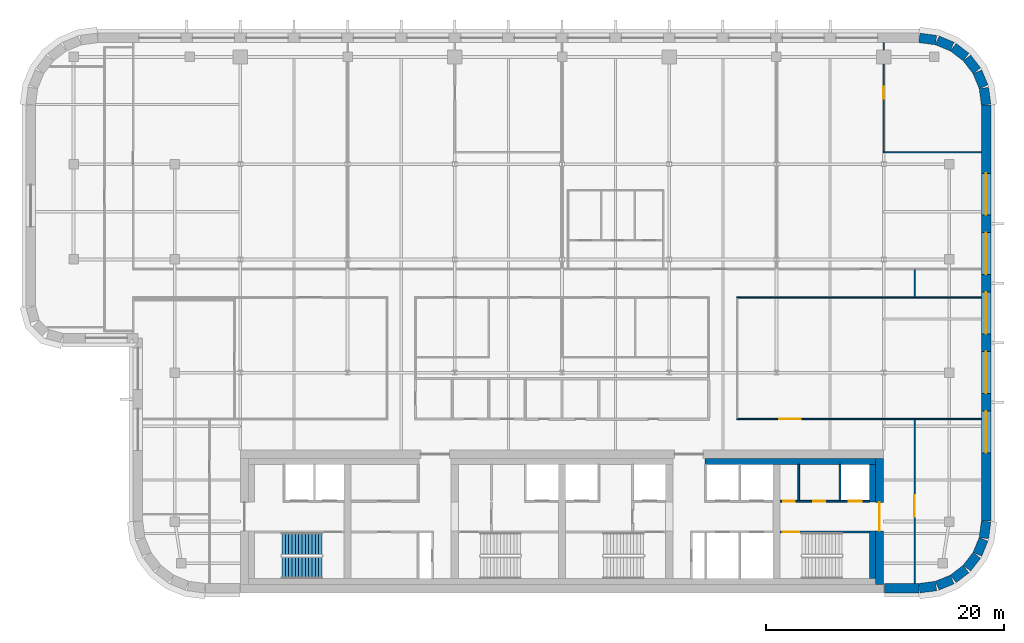
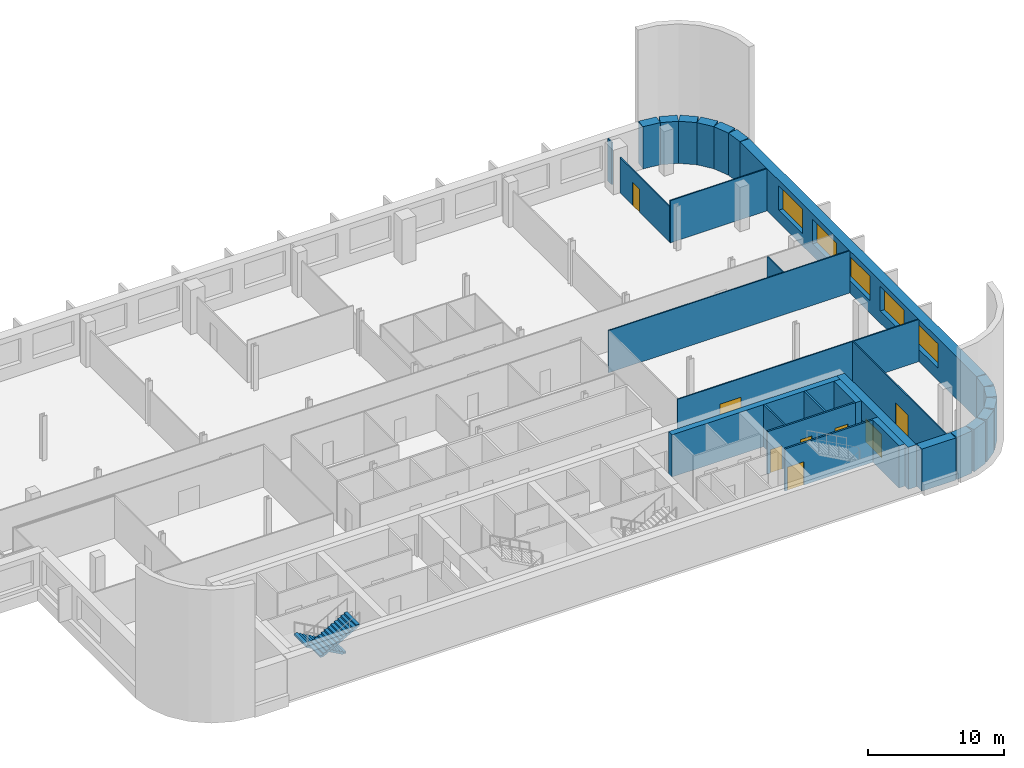
# One storey, part 11 of 16: 29 walls, 8 doors, 5 windows, 2 stair flights, 13 openings, 1 element without a shape of its own.
"""IFC4 building model written with IfcOpenShell, lengths in metres."""

from ifc_helpers import new_model, si_unit, direction, frame, frame_2d, origin, place, context, subcontext, project, spatial, polyline, rectangle, outline, extrude, material, layer, layer_set, type_object, element, fill, aggregate, save


model = new_model("IFC4")

# Units and contexts
model_context = context("Model", 3, precision=1e-05, world=origin(), true_north=direction((0.0, 1.0)))
body_context = subcontext(model_context, "Body", "Model", "MODEL_VIEW")
ifc_project = project(units=[si_unit("LENGTHUNIT", "METRE"), si_unit("AREAUNIT", "SQUARE_METRE"), si_unit("VOLUMEUNIT", "CUBIC_METRE"), si_unit("PLANEANGLEUNIT", "RADIAN"), si_unit("MASSUNIT", "GRAM", prefix="KILO")], contexts=[model_context])

# Site, building, storey
site_placement = place(None, origin())
site = spatial("IfcSite", under=ifc_project, at=site_placement, CompositionType="ELEMENT")
building_placement = place(site_placement, origin())
building = spatial("IfcBuilding", under=site, at=building_placement, Name="Zellij Exchange Tower", CompositionType="ELEMENT")
storey_placement = place(building_placement, frame((0.0, 0.0, 244.5)))
storey = spatial("IfcBuildingStorey", under=building, at=storey_placement, Name="L57", CompositionType="ELEMENT", Elevation=244.5)

# Walls
ifc_material_1 = material(Name="Concrete C30/37", Category="concrete")
ifc_layer_1 = layer(ifc_material_1, 0.5)
ifc_layer_set_1 = layer_set([ifc_layer_1], Name="Concrete C30/37")
wall_type_1 = type_object("IfcWallType", Name="CORE-LW 500 C30/37", PredefinedType="SHEAR", material=ifc_layer_set_1)
wall_1_placement = place(storey_placement, frame((12.0, -2.949951171875, 0.0), z_axis=(0.0, 0.0, 1.0), x_axis=(1.0, 0.0, 0.0)))
element("IfcWall", 1, at=wall_1_placement, inside=storey, type_object=wall_type_1, Name="Core wall lining front.2 L57", PredefinedType="SHEAR", context=body_context, shape_type="SweptSolid", body=[
    extrude(rectangle(XDim=14.300048828125, YDim=0.5, at=frame_2d((7.14990234375, 0.0))), origin(), (0.0, 0.0, 1.0), 3.800048828125),
])
wall_2_placement = place(storey_placement, frame((26.050048828125, -12.800048828125, 0.0), z_axis=(0.0, 0.0, 1.0), x_axis=(0.0, 1.0, 0.0)))
element("IfcWall", 2, at=wall_2_placement, inside=storey, type_object=wall_type_1, Name="Core wall lining end e.0 L57", PredefinedType="SHEAR", context=body_context, shape_type="SweptSolid", body=[
    extrude(rectangle(XDim=4.0, YDim=0.5, at=frame_2d((2.0, 0.0))), origin(), (0.0, 0.0, 1.0), 3.800048828125),
])
wall_3_placement = place(storey_placement, frame((26.050048828125, -6.375, 0.0), z_axis=(0.0, 0.0, 1.0), x_axis=(0.0, 1.0, 0.0)))
element("IfcWall", 3, at=wall_3_placement, inside=storey, type_object=wall_type_1, Name="Core wall lining end e.1 L57", PredefinedType="SHEAR", context=body_context, shape_type="SweptSolid", body=[
    extrude(rectangle(XDim=3.175048828125, YDim=0.5, at=frame_2d((1.58740234375, 0.0))), origin(), (0.0, 0.0, 1.0), 3.800048828125),
])
ifc_material_2 = material(Name="Gypsum board partition")
ifc_layer_2 = layer(ifc_material_2, 0.14990234375)
ifc_layer_set_2 = layer_set([ifc_layer_2], Name="Gypsum board partition")
wall_type_2 = type_object("IfcWallType", Name="CORE-PW 150 Lift lobby wall", PredefinedType="PARTITIONING", material=ifc_layer_set_2)
wall_4_placement = place(storey_placement, frame((19.875, -6.22509765625, 0.0), z_axis=(0.0, 0.0, 1.0), x_axis=(0.0, 1.0, 0.0)))
element("IfcWall", 4, at=wall_4_placement, inside=storey, type_object=wall_type_2, Name="Lift lobby wall L57", PredefinedType="PARTITIONING", context=body_context, shape_type="SweptSolid", body=[
    extrude(rectangle(XDim=3.025146484375, YDim=0.14990234375, at=frame_2d((1.5126953125, 0.0))), origin(), (0.0, 0.0, 1.0), 3.800048828125),
])
ifc_material_3 = material(Name="Gypsum shaft wall system")
ifc_layer_3 = layer(ifc_material_3, 0.14990234375)
ifc_layer_set_3 = layer_set([ifc_layer_3], Name="Gypsum shaft wall system")
wall_type_3 = type_object("IfcWallType", Name="CORE-PW 150 Lift shaft wall", PredefinedType="PARTITIONING", material=ifc_layer_set_3)
wall_5_placement = place(storey_placement, frame((23.324951171875, -6.22509765625, 0.0), z_axis=(0.0, 0.0, 1.0), x_axis=(0.0, 1.0, 0.0)))
element("IfcWall", 5, at=wall_5_placement, inside=storey, type_object=wall_type_3, Name="Lift shaft wall L57", PredefinedType="PARTITIONING", context=body_context, shape_type="SweptSolid", body=[
    extrude(rectangle(XDim=3.025146484375, YDim=0.14990234375, at=frame_2d((1.5126953125, 0.0))), origin(), (0.0, 0.0, 1.0), 3.800048828125),
])

# Wall, openings, doors
wall_6_placement = place(storey_placement, frame((18.300048828125, -6.300048828125, 0.0), z_axis=(0.0, 0.0, 1.0), x_axis=(1.0, 0.0, 0.0)))
wall_6 = element("IfcWall", 6, at=wall_6_placement, inside=storey, type_object=wall_type_3, Name="Lift shaft wall L57", PredefinedType="PARTITIONING", context=body_context, shape_type="SweptSolid", body=[
    extrude(rectangle(XDim=7.5, YDim=0.14990234375, at=frame_2d((3.75, 0.0))), origin(), (0.0, 0.0, 1.0), 3.800048828125),
])
opening_1_placement = place(wall_6_placement, frame((0.25, 0.0, 0.0)))
opening_1 = element("IfcOpeningElement", 7, at=opening_1_placement, cuts=wall_6, Name="Opening CA-30.22", PredefinedType="OPENING", context=body_context, shape_type="SweptSolid", body=[
    extrude(rectangle(XDim=1.0, YDim=2.10009765625, at=frame_2d((0.5, 1.050048828125))), frame((0.0, 0.0869140625, 0.0), z_axis=(0.0, -1.0, 0.0), x_axis=(1.0, 0.0, 0.0)), (0.0, 0.0, 1.0), 0.173828125),
])
opening_2_placement = place(wall_6_placement, frame((2.800048828125, 0.0, 0.0)))
opening_2 = element("IfcOpeningElement", 8, at=opening_2_placement, cuts=wall_6, Name="Opening CA-30.24", PredefinedType="OPENING", context=body_context, shape_type="SweptSolid", body=[
    extrude(rectangle(XDim=1.0, YDim=2.10009765625, at=frame_2d((0.5, 1.050048828125))), frame((0.0, 0.0869140625, 0.0), z_axis=(0.0, -1.0, 0.0), x_axis=(1.0, 0.0, 0.0)), (0.0, 0.0, 1.0), 0.173828125),
])
opening_3_placement = place(wall_6_placement, frame((5.75, 0.0, 0.0)))
opening_3 = element("IfcOpeningElement", 9, at=opening_3_placement, cuts=wall_6, Name="Opening CA-30.25", PredefinedType="OPENING", context=body_context, shape_type="SweptSolid", body=[
    extrude(rectangle(XDim=1.10009765625, YDim=2.10009765625, at=frame_2d((0.550048828125, 1.050048828125))), frame((0.0, 0.0869140625, 0.0), z_axis=(0.0, -1.0, 0.0), x_axis=(1.0, 0.0, 0.0)), (0.0, 0.0, 1.0), 0.173828125),
])
ifc_material_4 = material(Name="Hollow metal fire door")
door_type_1 = type_object("IfcDoorType", Name="CORE-D CD Core room door 1000x2100 1 HR", OperationType="NOTDEFINED", PredefinedType="DOOR", material=ifc_material_4)
door_1_placement = place(opening_1_placement, origin())
door_1 = element("IfcDoor", 10, at=door_1_placement, inside=storey, type_object=door_type_1, Name="Core room door CA-30.22", OperationType="SINGLE_SWING_LEFT", OverallHeight=2.10009765625, OverallWidth=1.0, PredefinedType="DOOR", context=body_context, shape_type="SweptSolid", body=[
    extrude(rectangle(XDim=1.0, YDim=2.10009765625, at=frame_2d((0.5, 1.050048828125))), frame((0.0, 0.02490234375, 0.0), z_axis=(0.0, -1.0, 0.0), x_axis=(1.0, 0.0, 0.0)), (0.0, 0.0, 1.0), 0.050048828125),
])
fill(opening_1, door_1)
door_2_placement = place(opening_2_placement, origin())
door_2 = element("IfcDoor", 11, at=door_2_placement, inside=storey, type_object=door_type_1, Name="Core room door CA-30.24", OperationType="SINGLE_SWING_LEFT", OverallHeight=2.10009765625, OverallWidth=1.0, PredefinedType="DOOR", context=body_context, shape_type="SweptSolid", body=[
    extrude(rectangle(XDim=1.0, YDim=2.10009765625, at=frame_2d((0.5, 1.050048828125))), frame((0.0, 0.02490234375, 0.0), z_axis=(0.0, -1.0, 0.0), x_axis=(1.0, 0.0, 0.0)), (0.0, 0.0, 1.0), 0.050048828125),
])
fill(opening_2, door_2)
door_type_2 = type_object("IfcDoorType", Name="CORE-D LD Lift landing door 1100x2100 1.5 HR", OperationType="NOTDEFINED", PredefinedType="DOOR", material=ifc_material_4)
door_3_placement = place(opening_3_placement, origin())
door_3 = element("IfcDoor", 12, at=door_3_placement, inside=storey, type_object=door_type_2, Name="Lift landing door CA-30.25", OperationType="SLIDING_TO_LEFT", OverallHeight=2.10009765625, OverallWidth=1.10009765625, PredefinedType="DOOR", context=body_context, shape_type="SweptSolid", body=[
    extrude(rectangle(XDim=1.10009765625, YDim=2.10009765625, at=frame_2d((0.550048828125, 1.050048828125))), frame((0.0, 0.02490234375, 0.0), z_axis=(0.0, -1.0, 0.0), x_axis=(1.0, 0.0, 0.0)), (0.0, 0.0, 1.0), 0.050048828125),
])
fill(opening_3, door_3)

# Wall, opening, door
ifc_material_5 = material(Name="Concrete C50/60", Category="concrete")
ifc_layer_4 = layer(ifc_material_5, 0.699951171875)
ifc_layer_set_4 = layer_set([ifc_layer_4], Name="Concrete C50/60")
wall_type_4 = type_object("IfcWallType", Name="CORE-SW 700 C50/60", PredefinedType="SHEAR", material=ifc_layer_set_4)
wall_7_placement = place(storey_placement, frame((26.64990234375, -13.300048828125, 0.0), z_axis=(0.0, 0.0, 1.0), x_axis=(0.0, 1.0, 0.0)))
wall_7 = element("IfcWall", 13, at=wall_7_placement, inside=storey, type_object=wall_type_4, Name="Core shear wall end e L57", PredefinedType="SHEAR", context=body_context, shape_type="SweptSolid", body=[
    extrude(rectangle(XDim=10.60009765625, YDim=0.699951171875, at=frame_2d((5.300048828125, 0.0))), origin(), (0.0, 0.0, 1.0), 3.800048828125),
])
opening_4_placement = place(wall_7_placement, frame((4.511962890625, 0.0, 0.0)))
opening_4 = element("IfcOpeningElement", 14, at=opening_4_placement, cuts=wall_7, Name="Opening CA-30.26", PredefinedType="OPENING", context=body_context, shape_type="SweptSolid", body=[
    extrude(rectangle(XDim=2.39990234375, YDim=2.10009765625, at=frame_2d((1.199951171875, 1.050048828125))), frame((0.0, 0.36181640625, 0.0), z_axis=(0.0, -1.0, 0.0), x_axis=(1.0, 0.0, 0.0)), (0.0, 0.0, 1.0), 0.723876953125),
])
door_type_3 = type_object("IfcDoorType", Name="CORE-D CE Core entrance door 2400x2100 20 MIN", OperationType="NOTDEFINED", PredefinedType="DOOR", material=ifc_material_4)
door_4_placement = place(opening_4_placement, origin())
door_4 = element("IfcDoor", 15, at=door_4_placement, inside=storey, type_object=door_type_3, Name="Core entrance door CA-30.26", OperationType="DOUBLE_DOOR_SINGLE_SWING", OverallHeight=2.10009765625, OverallWidth=2.39990234375, PredefinedType="DOOR", context=body_context, shape_type="SweptSolid", body=[
    extrude(rectangle(XDim=2.39990234375, YDim=2.10009765625, at=frame_2d((1.199951171875, 1.050048828125))), frame((0.0, 0.02490234375, 0.0), z_axis=(0.0, -1.0, 0.0), x_axis=(1.0, 0.0, 0.0)), (0.0, 0.0, 1.0), 0.050048828125),
])
fill(opening_4, door_4)

ifc_layer_5 = layer(ifc_material_5, 0.14990234375)
ifc_layer_set_5 = layer_set([ifc_layer_5], Name="Concrete C50/60")
wall_type_5 = type_object("IfcWallType", Name="CORE-SWS 150 C50/60", PredefinedType="SHEAR", material=ifc_layer_set_5)
wall_8_placement = place(storey_placement, frame((18.300048828125, -8.875, 0.0), z_axis=(0.0, 0.0, 1.0), x_axis=(1.0, 0.0, 0.0)))
wall_8 = element("IfcWall", 16, at=wall_8_placement, inside=storey, type_object=wall_type_5, Name="Stair enclosure wall L57", PredefinedType="SHEAR", context=body_context, shape_type="SweptSolid", body=[
    extrude(rectangle(XDim=7.5, YDim=0.14990234375, at=frame_2d((3.75, 0.0))), origin(), (0.0, 0.0, 1.0), 3.800048828125),
])
opening_5_placement = place(wall_8_placement, frame((0.22509765625, 0.0, 0.0)))
opening_5 = element("IfcOpeningElement", 17, at=opening_5_placement, cuts=wall_8, Name="Opening CA-30.23", PredefinedType="OPENING", context=body_context, shape_type="SweptSolid", body=[
    extrude(rectangle(XDim=1.39990234375, YDim=2.10009765625, at=frame_2d((0.699951171875, 1.050048828125))), frame((0.0, 0.0869140625, 0.0), z_axis=(0.0, -1.0, 0.0), x_axis=(1.0, 0.0, 0.0)), (0.0, 0.0, 1.0), 0.173828125),
])
door_type_4 = type_object("IfcDoorType", Name="CORE-D SD Stair door 1400x2100 1.5 HR", OperationType="NOTDEFINED", PredefinedType="DOOR", material=ifc_material_4)
door_5_placement = place(opening_5_placement, origin())
door_5 = element("IfcDoor", 18, at=door_5_placement, inside=storey, type_object=door_type_4, Name="Stair door CA-30.23", OperationType="DOUBLE_DOOR_SINGLE_SWING", OverallHeight=2.10009765625, OverallWidth=1.39990234375, PredefinedType="DOOR", context=body_context, shape_type="SweptSolid", body=[
    extrude(rectangle(XDim=1.39990234375, YDim=2.10009765625, at=frame_2d((0.699951171875, 1.050048828125))), frame((0.0, 0.02490234375, 0.0), z_axis=(0.0, -1.0, 0.0), x_axis=(1.0, 0.0, 0.0)), (0.0, 0.0, 1.0), 0.050048828125),
])
fill(opening_5, door_5)

# Walls
ifc_material_6 = material(Name="Precast concrete C40/50", Category="concrete")
ifc_layer_6 = layer(ifc_material_6, 0.800048828125)
ifc_layer_set_6 = layer_set([ifc_layer_6], Name="Precast concrete C40/50")
wall_type_6 = type_object("IfcWallType", Name="ENV-EW1 Precast stone-piered wall 800", PredefinedType="SOLIDWALL", material=ifc_layer_set_6)
wall_9_placement = place(storey_placement, frame((27.050048828125, -13.60009765625, 0.0), z_axis=(0.0, 0.0, 1.0), x_axis=(1.0, 0.0, 0.0)))
element("IfcWall", 19, at=wall_9_placement, inside=storey, type_object=wall_type_6, Name="fac.L57.00b", PredefinedType="SOLIDWALL", context=body_context, shape_type="SweptSolid", body=[
    extrude(rectangle(XDim=2.8974609375, YDim=0.800048828125, at=frame_2d((1.44873046875, 0.0))), origin(), (0.0, 0.0, 1.0), 3.800048828125),
])
wall_10_placement = place(storey_placement, frame((29.999755859375, -13.5966796875, 0.0), z_axis=(0.0, 0.0, 1.0), x_axis=(0.99144603414, 0.130517283865, 0.0)))
element("IfcWall", 20, at=wall_10_placement, inside=storey, type_object=wall_type_6, Name="fac.L57.01", PredefinedType="SOLIDWALL", context=body_context, shape_type="SweptSolid", body=[
    extrude(rectangle(XDim=1.408447265625, YDim=0.800048828125, at=frame_2d((0.7041015625, 0.0))), origin(), (0.0, 0.0, 1.0), 3.800048828125),
])
wall_11_placement = place(storey_placement, frame((31.497314453125, -13.3857421875, 0.0), z_axis=(0.0, 0.0, 1.0), x_axis=(0.923847774587, 0.38276009378, 0.0)))
element("IfcWall", 21, at=wall_11_placement, inside=storey, type_object=wall_type_6, Name="fac.L57.02", PredefinedType="SOLIDWALL", context=body_context, shape_type="SweptSolid", body=[
    extrude(rectangle(XDim=1.35546875, YDim=0.800048828125, at=frame_2d((0.677734375, 0.0))), origin(), (0.0, 0.0, 1.0), 3.800048828125),
])
for number, where, z_axis, x_axis, name in (
    (22, (32.840087890625, -12.814697265625, 0.0), (0.0, 0.0, 1.0), (0.793272915452, 0.608866226366, 0.0), "fac.L57.03"),
    (23, (33.9892578125, -11.91552734375, 0.0), (0.0, 0.0, 1.0), (0.608866226366, 0.793272915452, 0.0), "fac.L57.04"),
):
    element("IfcWall", number, at=place(storey_placement, frame(where, z_axis=z_axis, x_axis=x_axis)), inside=storey, type_object=wall_type_6, Name=name, PredefinedType="SOLIDWALL", context=body_context, shape_type="SweptSolid", body=[
        extrude(rectangle(XDim=1.355712890625, YDim=0.800048828125, at=frame_2d((0.677734375, 0.0))), origin(), (0.0, 0.0, 1.0), 3.800048828125),
    ])
wall_12_placement = place(storey_placement, frame((34.866943359375, -10.74951171875, 0.0), z_axis=(0.0, 0.0, 1.0), x_axis=(0.38276009378, 0.923847774587, 0.0)))
element("IfcWall", 24, at=wall_12_placement, inside=storey, type_object=wall_type_6, Name="fac.L57.05", PredefinedType="SOLIDWALL", context=body_context, shape_type="SweptSolid", body=[
    extrude(rectangle(XDim=1.35546875, YDim=0.800048828125, at=frame_2d((0.677734375, 0.0))), origin(), (0.0, 0.0, 1.0), 3.800048828125),
])
wall_13_placement = place(storey_placement, frame((35.412841796875, -9.396240234375, 0.0), z_axis=(0.0, 0.0, 1.0), x_axis=(0.130517283865, 0.99144603414, 0.0)))
element("IfcWall", 25, at=wall_13_placement, inside=storey, type_object=wall_type_6, Name="fac.L57.06", PredefinedType="SOLIDWALL", context=body_context, shape_type="SweptSolid", body=[
    extrude(rectangle(XDim=1.408447265625, YDim=0.800048828125, at=frame_2d((0.7041015625, 0.0))), origin(), (0.0, 0.0, 1.0), 3.800048828125),
])

# Wall, openings, windows
wall_14_placement = place(storey_placement, frame((35.60009765625, -7.947509765625, 0.0), z_axis=(0.0, 0.0, 1.0), x_axis=(0.0, 1.0, 0.0)))
wall_14 = element("IfcWall", 26, at=wall_14_placement, inside=storey, type_object=wall_type_6, Name="fac.L57.07", PredefinedType="SOLIDWALL", context=body_context, shape_type="SweptSolid", body=[
    extrude(rectangle(XDim=34.89501953125, YDim=0.800048828125, at=frame_2d((17.447509765625, 0.0))), origin(), (0.0, 0.0, 1.0), 3.800048828125),
])
opening_6_placement = place(wall_14_placement, frame((5.71240234375, 0.0, 1.10009765625)))
opening_6 = element("IfcOpeningElement", 27, at=opening_6_placement, cuts=wall_14, Name="Opening FZ4.01", PredefinedType="OPENING", context=body_context, shape_type="SweptSolid", body=[
    extrude(rectangle(XDim=3.5, YDim=2.199951171875, at=frame_2d((1.75, 1.10009765625))), frame((0.0, 0.412109375, 0.0), z_axis=(0.0, -1.0, 0.0), x_axis=(1.0, 0.0, 0.0)), (0.0, 0.0, 1.0), 0.823974609375),
])
opening_7_placement = place(wall_14_placement, frame((10.705078125, 0.0, 1.10009765625)))
opening_7 = element("IfcOpeningElement", 28, at=opening_7_placement, cuts=wall_14, Name="Opening FZ4.02", PredefinedType="OPENING", context=body_context, shape_type="SweptSolid", body=[
    extrude(rectangle(XDim=3.5, YDim=2.199951171875, at=frame_2d((1.75, 1.10009765625))), frame((0.0, 0.412109375, 0.0), z_axis=(0.0, -1.0, 0.0), x_axis=(1.0, 0.0, 0.0)), (0.0, 0.0, 1.0), 0.823974609375),
])
opening_8_placement = place(wall_14_placement, frame((15.697509765625, 0.0, 1.10009765625)))
opening_8 = element("IfcOpeningElement", 29, at=opening_8_placement, cuts=wall_14, Name="Opening FZ4.03", PredefinedType="OPENING", context=body_context, shape_type="SweptSolid", body=[
    extrude(rectangle(XDim=3.5, YDim=2.199951171875, at=frame_2d((1.75, 1.10009765625))), frame((0.0, 0.412109375, 0.0), z_axis=(0.0, -1.0, 0.0), x_axis=(1.0, 0.0, 0.0)), (0.0, 0.0, 1.0), 0.823974609375),
])
opening_9_placement = place(wall_14_placement, frame((20.690185546875, 0.0, 1.10009765625)))
opening_9 = element("IfcOpeningElement", 30, at=opening_9_placement, cuts=wall_14, Name="Opening FZ4.04", PredefinedType="OPENING", context=body_context, shape_type="SweptSolid", body=[
    extrude(rectangle(XDim=3.5, YDim=2.199951171875, at=frame_2d((1.75, 1.10009765625))), frame((0.0, 0.412109375, 0.0), z_axis=(0.0, -1.0, 0.0), x_axis=(1.0, 0.0, 0.0)), (0.0, 0.0, 1.0), 0.823974609375),
])
opening_10_placement = place(wall_14_placement, frame((25.6826171875, 0.0, 1.10009765625)))
opening_10 = element("IfcOpeningElement", 31, at=opening_10_placement, cuts=wall_14, Name="Opening FZ4.05", PredefinedType="OPENING", context=body_context, shape_type="SweptSolid", body=[
    extrude(rectangle(XDim=3.5, YDim=2.199951171875, at=frame_2d((1.75, 1.10009765625))), frame((0.0, 0.412109375, 0.0), z_axis=(0.0, -1.0, 0.0), x_axis=(1.0, 0.0, 0.0)), (0.0, 0.0, 1.0), 0.823974609375),
])
ifc_material_7 = material(Name="Aluminium frame with insulating glass", Category="aluminium")
window_type = type_object("IfcWindowType", Name="ENV-W7 Window 3500x2200", PartitioningType="SINGLE_PANEL", PredefinedType="WINDOW", material=ifc_material_7)
window_1_placement = place(opening_6_placement, origin())
window_1 = element("IfcWindow", 32, at=window_1_placement, inside=storey, type_object=window_type, Name="Window FZ4.01", OverallHeight=2.199951171875, OverallWidth=3.5, PartitioningType="SINGLE_PANEL", PredefinedType="WINDOW", context=body_context, shape_type="SweptSolid", body=[
    extrude(rectangle(XDim=3.5, YDim=2.199951171875, at=frame_2d((1.75, 1.10009765625))), frame((0.0, 0.030029296875, 0.0), z_axis=(0.0, -1.0, 0.0), x_axis=(1.0, 0.0, 0.0)), (0.0, 0.0, 1.0), 0.06005859375),
])
fill(opening_6, window_1)
window_2_placement = place(opening_7_placement, origin())
window_2 = element("IfcWindow", 33, at=window_2_placement, inside=storey, type_object=window_type, Name="Window FZ4.02", OverallHeight=2.199951171875, OverallWidth=3.5, PartitioningType="SINGLE_PANEL", PredefinedType="WINDOW", context=body_context, shape_type="SweptSolid", body=[
    extrude(rectangle(XDim=3.5, YDim=2.199951171875, at=frame_2d((1.75, 1.10009765625))), frame((0.0, 0.030029296875, 0.0), z_axis=(0.0, -1.0, 0.0), x_axis=(1.0, 0.0, 0.0)), (0.0, 0.0, 1.0), 0.06005859375),
])
fill(opening_7, window_2)
window_3_placement = place(opening_8_placement, origin())
window_3 = element("IfcWindow", 34, at=window_3_placement, inside=storey, type_object=window_type, Name="Window FZ4.03", OverallHeight=2.199951171875, OverallWidth=3.5, PartitioningType="SINGLE_PANEL", PredefinedType="WINDOW", context=body_context, shape_type="SweptSolid", body=[
    extrude(rectangle(XDim=3.5, YDim=2.199951171875, at=frame_2d((1.75, 1.10009765625))), frame((0.0, 0.030029296875, 0.0), z_axis=(0.0, -1.0, 0.0), x_axis=(1.0, 0.0, 0.0)), (0.0, 0.0, 1.0), 0.06005859375),
])
fill(opening_8, window_3)
window_4_placement = place(opening_9_placement, origin())
window_4 = element("IfcWindow", 35, at=window_4_placement, inside=storey, type_object=window_type, Name="Window FZ4.04", OverallHeight=2.199951171875, OverallWidth=3.5, PartitioningType="SINGLE_PANEL", PredefinedType="WINDOW", context=body_context, shape_type="SweptSolid", body=[
    extrude(rectangle(XDim=3.5, YDim=2.199951171875, at=frame_2d((1.75, 1.10009765625))), frame((0.0, 0.030029296875, 0.0), z_axis=(0.0, -1.0, 0.0), x_axis=(1.0, 0.0, 0.0)), (0.0, 0.0, 1.0), 0.06005859375),
])
fill(opening_9, window_4)
window_5_placement = place(opening_10_placement, origin())
window_5 = element("IfcWindow", 36, at=window_5_placement, inside=storey, type_object=window_type, Name="Window FZ4.05", OverallHeight=2.199951171875, OverallWidth=3.5, PartitioningType="SINGLE_PANEL", PredefinedType="WINDOW", context=body_context, shape_type="SweptSolid", body=[
    extrude(rectangle(XDim=3.5, YDim=2.199951171875, at=frame_2d((1.75, 1.10009765625))), frame((0.0, 0.030029296875, 0.0), z_axis=(0.0, -1.0, 0.0), x_axis=(1.0, 0.0, 0.0)), (0.0, 0.0, 1.0), 0.06005859375),
])
fill(opening_10, window_5)

# Walls
wall_15_placement = place(storey_placement, frame((35.5966796875, 26.999755859375, 0.0), z_axis=(0.0, 0.0, 1.0), x_axis=(-0.130517283865, 0.99144603414, 0.0)))
element("IfcWall", 37, at=wall_15_placement, inside=storey, type_object=wall_type_6, Name="fac.L57.08", PredefinedType="SOLIDWALL", context=body_context, shape_type="SweptSolid", body=[
    extrude(rectangle(XDim=1.408447265625, YDim=0.800048828125, at=frame_2d((0.7041015625, 0.0))), origin(), (0.0, 0.0, 1.0), 3.800048828125),
])
wall_16_placement = place(storey_placement, frame((35.3857421875, 28.497314453125, 0.0), z_axis=(0.0, 0.0, 1.0), x_axis=(-0.38276009378, 0.923847774587, 0.0)))
element("IfcWall", 38, at=wall_16_placement, inside=storey, type_object=wall_type_6, Name="fac.L57.09", PredefinedType="SOLIDWALL", context=body_context, shape_type="SweptSolid", body=[
    extrude(rectangle(XDim=1.35546875, YDim=0.800048828125, at=frame_2d((0.677734375, 0.0))), origin(), (0.0, 0.0, 1.0), 3.800048828125),
])
for number, where, z_axis, x_axis, name in (
    (39, (34.814697265625, 29.840087890625, 0.0), (0.0, 0.0, 1.0), (-0.608866226366, 0.793272915452, 0.0), "fac.L57.10"),
    (40, (33.91552734375, 30.9892578125, 0.0), (0.0, 0.0, 1.0), (-0.793272915452, 0.608866226366, 0.0), "fac.L57.11"),
):
    element("IfcWall", number, at=place(storey_placement, frame(where, z_axis=z_axis, x_axis=x_axis)), inside=storey, type_object=wall_type_6, Name=name, PredefinedType="SOLIDWALL", context=body_context, shape_type="SweptSolid", body=[
        extrude(rectangle(XDim=1.355712890625, YDim=0.800048828125, at=frame_2d((0.677734375, 0.0))), origin(), (0.0, 0.0, 1.0), 3.800048828125),
    ])
wall_17_placement = place(storey_placement, frame((32.74951171875, 31.866943359375, 0.0), z_axis=(0.0, 0.0, 1.0), x_axis=(-0.923847774587, 0.38276009378, 0.0)))
element("IfcWall", 41, at=wall_17_placement, inside=storey, type_object=wall_type_6, Name="fac.L57.12", PredefinedType="SOLIDWALL", context=body_context, shape_type="SweptSolid", body=[
    extrude(rectangle(XDim=1.35546875, YDim=0.800048828125, at=frame_2d((0.677734375, 0.0))), origin(), (0.0, 0.0, 1.0), 3.800048828125),
])
wall_18_placement = place(storey_placement, frame((31.396240234375, 32.412841796875, 0.0), z_axis=(0.0, 0.0, 1.0), x_axis=(-0.99144603414, 0.130517283865, 0.0)))
element("IfcWall", 42, at=wall_18_placement, inside=storey, type_object=wall_type_6, Name="fac.L57.13", PredefinedType="SOLIDWALL", context=body_context, shape_type="SweptSolid", body=[
    extrude(rectangle(XDim=1.408447265625, YDim=0.800048828125, at=frame_2d((0.7041015625, 0.0))), origin(), (0.0, 0.0, 1.0), 3.800048828125),
])

# Wall, opening, door
ifc_material_8 = material(Name="Gypsum board partition on steel studs", Category="steel")
ifc_layer_7 = layer(ifc_material_8, 0.10009765625)
ifc_layer_set_7 = layer_set([ifc_layer_7], Name="Gypsum board partition on steel studs")
wall_type_7 = type_object("IfcWallType", Name="FIT-PARTITION-100", PredefinedType="PARTITIONING", material=ifc_layer_set_7)
wall_19_placement = place(storey_placement, frame((29.60009765625, -13.199951171875, 0.0), z_axis=(0.0, 0.0, 1.0), x_axis=(0.0, 1.0, 0.0)))
wall_19 = element("IfcWall", 43, at=wall_19_placement, inside=storey, type_object=wall_type_7, Name="FIT-PARTITION-100 002", PredefinedType="PARTITIONING", context=body_context, shape_type="SweptSolid", body=[
    extrude(rectangle(XDim=13.75, YDim=0.10009765625, at=frame_2d((6.875, 0.0))), origin(), (0.0, 0.0, 1.0), 3.800048828125),
])
opening_11_placement = place(wall_19_placement, frame((5.60009765625, 0.0, 0.0)))
opening_11 = element("IfcOpeningElement", 44, at=opening_11_placement, cuts=wall_19, Name="Opening O4D.01", PredefinedType="OPENING", context=body_context, shape_type="SweptSolid", body=[
    extrude(rectangle(XDim=1.800048828125, YDim=2.10009765625, at=frame_2d((0.89990234375, 1.050048828125))), frame((0.0, 0.06201171875, 0.0), z_axis=(0.0, -1.0, 0.0), x_axis=(1.0, 0.0, 0.0)), (0.0, 0.0, 1.0), 0.1240234375),
])
ifc_material_9 = material(Name="Timber door set", Category="wood")
door_type_5 = type_object("IfcDoorType", Name="FIT-D3-DOUBLE-1800X2100", OperationType="DOUBLE_DOOR_SINGLE_SWING", PredefinedType="DOOR", material=ifc_material_9)
door_6_placement = place(opening_11_placement, origin())
door_6 = element("IfcDoor", 45, at=door_6_placement, inside=storey, type_object=door_type_5, Name="Door O4D.01", OperationType="DOUBLE_DOOR_SINGLE_SWING", OverallHeight=2.10009765625, OverallWidth=1.800048828125, PredefinedType="DOOR", context=body_context, shape_type="SweptSolid", body=[
    extrude(rectangle(XDim=1.800048828125, YDim=2.10009765625, at=frame_2d((0.89990234375, 1.050048828125))), frame((0.0, 0.02490234375, 0.0), z_axis=(0.0, -1.0, 0.0), x_axis=(1.0, 0.0, 0.0)), (0.0, 0.0, 1.0), 0.050048828125),
])
fill(opening_11, door_6)

wall_20_placement = place(storey_placement, frame((14.64990234375, 0.60009765625, 0.0), z_axis=(0.0, 0.0, 1.0), x_axis=(1.0, 0.0, 0.0)))
wall_20 = element("IfcWall", 46, at=wall_20_placement, inside=storey, type_object=wall_type_7, Name="FIT-PARTITION-100 016", PredefinedType="PARTITIONING", context=body_context, shape_type="SweptSolid", body=[
    extrude(rectangle(XDim=20.550048828125, YDim=0.10009765625, at=frame_2d((10.27490234375, 0.0))), origin(), (0.0, 0.0, 1.0), 3.800048828125),
])
opening_12_placement = place(wall_20_placement, frame((3.60009765625, 0.0, 0.0)))
opening_12 = element("IfcOpeningElement", 47, at=opening_12_placement, cuts=wall_20, Name="Opening O4D.08", PredefinedType="OPENING", context=body_context, shape_type="SweptSolid", body=[
    extrude(rectangle(XDim=1.800048828125, YDim=2.10009765625, at=frame_2d((0.89990234375, 1.050048828125))), frame((0.0, 0.06201171875, 0.0), z_axis=(0.0, -1.0, 0.0), x_axis=(1.0, 0.0, 0.0)), (0.0, 0.0, 1.0), 0.1240234375),
])
door_7_placement = place(opening_12_placement, origin())
door_7 = element("IfcDoor", 48, at=door_7_placement, inside=storey, type_object=door_type_5, Name="Door O4D.08", OperationType="DOUBLE_DOOR_SINGLE_SWING", OverallHeight=2.10009765625, OverallWidth=1.800048828125, PredefinedType="DOOR", context=body_context, shape_type="SweptSolid", body=[
    extrude(rectangle(XDim=1.800048828125, YDim=2.10009765625, at=frame_2d((0.89990234375, 1.050048828125))), frame((0.0, 0.02490234375, 0.0), z_axis=(0.0, -1.0, 0.0), x_axis=(1.0, 0.0, 0.0)), (0.0, 0.0, 1.0), 0.050048828125),
])
fill(opening_12, door_7)

# Walls
wall_21_placement = place(storey_placement, frame((14.64990234375, 10.800048828125, 0.0), z_axis=(0.0, 0.0, 1.0), x_axis=(1.0, 0.0, 0.0)))
element("IfcWall", 49, at=wall_21_placement, inside=storey, type_object=wall_type_7, Name="FIT-PARTITION-100 034", PredefinedType="PARTITIONING", context=body_context, shape_type="SweptSolid", body=[
    extrude(rectangle(XDim=20.550048828125, YDim=0.10009765625, at=frame_2d((10.27490234375, 0.0))), origin(), (0.0, 0.0, 1.0), 3.800048828125),
])
wall_22_placement = place(storey_placement, frame((29.60009765625, 10.85009765625, 0.0), z_axis=(0.0, 0.0, 1.0), x_axis=(0.0, 1.0, 0.0)))
element("IfcWall", 50, at=wall_22_placement, inside=storey, type_object=wall_type_7, Name="FIT-PARTITION-100 035", PredefinedType="PARTITIONING", context=body_context, shape_type="SweptSolid", body=[
    extrude(rectangle(XDim=2.2998046875, YDim=0.10009765625, at=frame_2d((1.14990234375, 0.0))), origin(), (0.0, 0.0, 1.0), 3.800048828125),
])
wall_23_placement = place(storey_placement, frame((26.949951171875, 23.0, 0.0), z_axis=(0.0, 0.0, 1.0), x_axis=(1.0, 0.0, 0.0)))
element("IfcWall", 51, at=wall_23_placement, inside=storey, type_object=wall_type_7, Name="FIT-PARTITION-100 059", PredefinedType="PARTITIONING", context=body_context, shape_type="SweptSolid", body=[
    extrude(rectangle(XDim=8.25, YDim=0.10009765625, at=frame_2d((4.125, 0.0))), origin(), (0.0, 0.0, 1.0), 3.800048828125),
])

# Wall, opening, door
wall_24_placement = place(storey_placement, frame((27.0, 23.050048828125, 0.0), z_axis=(0.0, 0.0, 1.0), x_axis=(0.0, 1.0, 0.0)))
wall_24 = element("IfcWall", 52, at=wall_24_placement, inside=storey, type_object=wall_type_7, Name="FIT-PARTITION-100 060", PredefinedType="PARTITIONING", context=body_context, shape_type="SweptSolid", body=[
    extrude(rectangle(XDim=7.349853515625, YDim=0.10009765625, at=frame_2d((3.6748046875, 0.0))), origin(), (0.0, 0.0, 1.0), 3.19287109375),
])
opening_13_placement = place(wall_24_placement, frame((4.449951171875, 0.0, 0.0)))
opening_13 = element("IfcOpeningElement", 53, at=opening_13_placement, cuts=wall_24, Name="Opening O4D.26", PredefinedType="OPENING", context=body_context, shape_type="SweptSolid", body=[
    extrude(rectangle(XDim=1.0, YDim=2.10009765625, at=frame_2d((0.5, 1.050048828125))), frame((0.0, 0.06201171875, 0.0), z_axis=(0.0, -1.0, 0.0), x_axis=(1.0, 0.0, 0.0)), (0.0, 0.0, 1.0), 0.1240234375),
])
door_type_6 = type_object("IfcDoorType", Name="FIT-D2-WIDE-1000X2100", OperationType="SINGLE_SWING_LEFT", PredefinedType="DOOR", material=ifc_material_9)
door_8_placement = place(opening_13_placement, origin())
door_8 = element("IfcDoor", 54, at=door_8_placement, inside=storey, type_object=door_type_6, Name="Door O4D.26", OperationType="SINGLE_SWING_RIGHT", OverallHeight=2.10009765625, OverallWidth=1.0, PredefinedType="DOOR", context=body_context, shape_type="SweptSolid", body=[
    extrude(rectangle(XDim=1.0, YDim=2.10009765625, at=frame_2d((0.5, 1.050048828125))), frame((0.0, 0.02490234375, 0.0), z_axis=(0.0, -1.0, 0.0), x_axis=(1.0, 0.0, 0.0)), (0.0, 0.0, 1.0), 0.050048828125),
])
fill(opening_13, door_8)

# Wall
wall_25_placement = place(storey_placement, frame((27.0, 31.60009765625, 0.0), z_axis=(0.0, 0.0, 1.0), x_axis=(0.0, 1.0, 0.0)))
element("IfcWall", 55, at=wall_25_placement, inside=storey, type_object=wall_type_7, Name="FIT-PARTITION-100 061", PredefinedType="PARTITIONING", context=body_context, shape_type="SweptSolid", body=[
    extrude(rectangle(XDim=0.599853515625, YDim=0.10009765625, at=frame_2d((0.2998046875, 0.0))), origin(), (0.0, 0.0, 1.0), 3.800048828125),
])

# Stair, stair flights
ifc_material_10 = material(Name="Concrete C40/50", Category="concrete")
stair_type = type_object("IfcStairType", Name="CORE-ST exit stair 1850 wide", PredefinedType="HALF_TURN_STAIR", material=ifc_material_10)
stair_placement = place(storey_placement, origin())
stair = element("IfcStair", 56, at=stair_placement, inside=storey, type_object=stair_type, Name="L57 exit stair ST1", PredefinedType="HALF_TURN_STAIR")
stair_flight_type = type_object("IfcStairFlightType", Name="CORE-SF flight 1850 riser 153.8 going 280", PredefinedType="STRAIGHT", material=ifc_material_10)
stair_flight_1_placement = place(storey_placement, frame((-20.14990234375, -9.875, 0.0), z_axis=(0.0, 0.0, 1.0), x_axis=(-1.0, 0.0, 0.0)))
stair_flight_1 = element("IfcStairFlight", 57, at=stair_flight_1_placement, type_object=stair_flight_type, Name="ST1 flight 1", NumberOfRisers=13, NumberOfTreads=12, PredefinedType="STRAIGHT", RiserHeight=0.153846154, TreadLength=0.28, context=body_context, shape_type="SweptSolid", body=[
    extrude(outline(polyline([(0.0, 0.0), (0.0, 0.15380859375), (0.280029296875, 0.15380859375), (0.280029296875, 0.3076171875), (0.56005859375, 0.3076171875), (0.56005859375, 0.46142578125), (0.840087890625, 0.46142578125), (0.840087890625, 0.615478515625), (1.1201171875, 0.615478515625), (1.1201171875, 0.769287109375), (1.39990234375, 0.769287109375), (1.39990234375, 0.923095703125), (1.679931640625, 0.923095703125), (1.679931640625, 1.076904296875), (1.9599609375, 1.076904296875), (1.9599609375, 1.230712890625), (2.239990234375, 1.230712890625), (2.239990234375, 1.384521484375), (2.52001953125, 1.384521484375), (2.52001953125, 1.53857421875), (2.800048828125, 1.53857421875), (2.800048828125, 1.6923828125), (3.080078125, 1.6923828125), (3.080078125, 1.84619140625), (3.360107421875, 1.84619140625), (3.360107421875, 2.0), (3.360107421875, 1.675048828125), (0.311279296875, 0.0), (0.0, 0.0)])), frame((0.0, 0.925048828125, 0.0), z_axis=(0.0, -1.0, 0.0), x_axis=(1.0, 0.0, 0.0)), (0.0, 0.0, 1.0), 1.85009765625),
])
stair_flight_2_placement = place(storey_placement, frame((-23.510009765625, -11.875, 2.0), z_axis=(0.0, 0.0, 1.0), x_axis=(1.0, 0.0, 0.0)))
stair_flight_2 = element("IfcStairFlight", 58, at=stair_flight_2_placement, type_object=stair_flight_type, Name="ST1 flight 2", NumberOfRisers=13, NumberOfTreads=12, PredefinedType="STRAIGHT", RiserHeight=0.153846154, TreadLength=0.28, context=body_context, shape_type="SweptSolid", body=[
    extrude(outline(polyline([(0.0, 0.0), (0.0, 0.15380859375), (0.280029296875, 0.15380859375), (0.280029296875, 0.3076171875), (0.56005859375, 0.3076171875), (0.56005859375, 0.46142578125), (0.840087890625, 0.46142578125), (0.840087890625, 0.615478515625), (1.1201171875, 0.615478515625), (1.1201171875, 0.769287109375), (1.39990234375, 0.769287109375), (1.39990234375, 0.923095703125), (1.679931640625, 0.923095703125), (1.679931640625, 1.076904296875), (1.9599609375, 1.076904296875), (1.9599609375, 1.230712890625), (2.239990234375, 1.230712890625), (2.239990234375, 1.384521484375), (2.52001953125, 1.384521484375), (2.52001953125, 1.53857421875), (2.800048828125, 1.53857421875), (2.800048828125, 1.6923828125), (3.080078125, 1.6923828125), (3.080078125, 1.84619140625), (3.360107421875, 1.84619140625), (3.360107421875, 2.0), (3.360107421875, 1.675048828125), (0.311279296875, 0.0), (0.0, 0.0)])), frame((0.0, 0.925048828125, 0.0), z_axis=(0.0, -1.0, 0.0), x_axis=(1.0, 0.0, 0.0)), (0.0, 0.0, 1.0), 1.85009765625),
])
aggregate(stair, [stair_flight_1, stair_flight_2])

save(model, "model.ifc")
